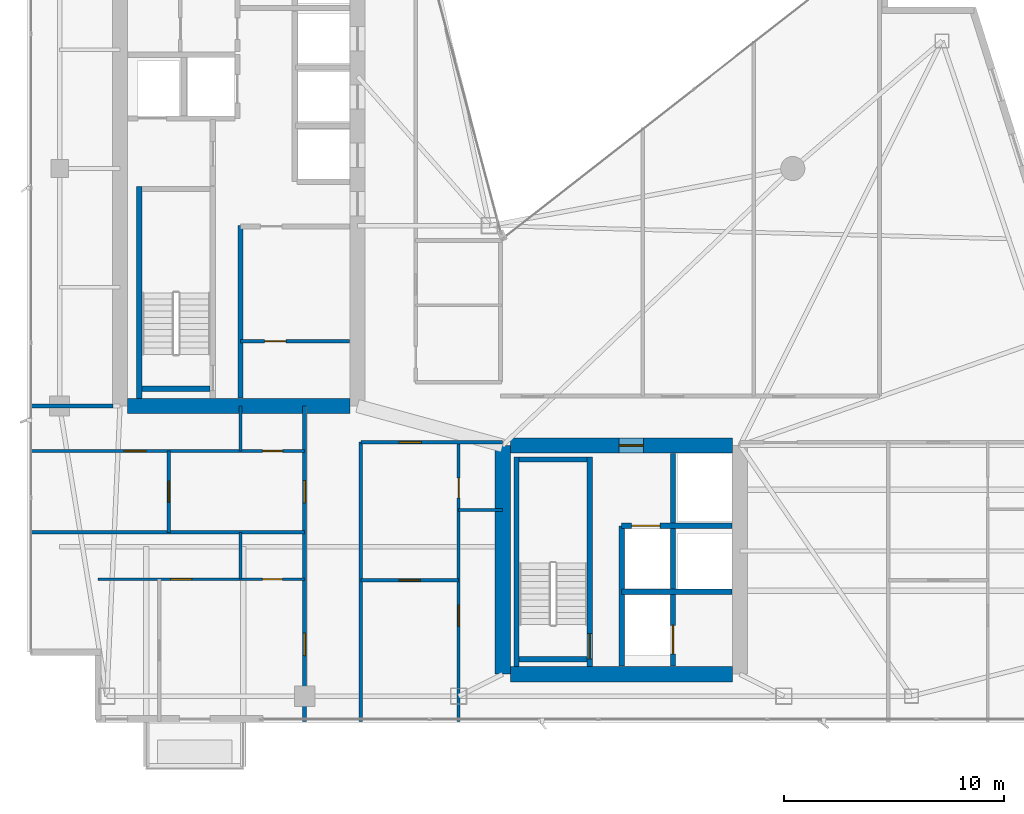
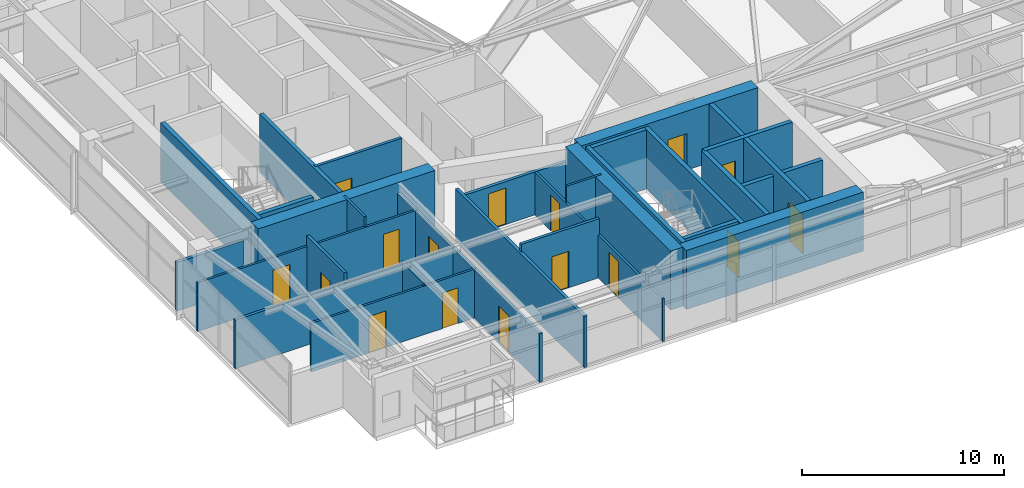
# One storey, part 23 of 29: 29 walls, 16 doors, 16 openings.
"""IFC4 building model written with IfcOpenShell, lengths in metres."""

from ifc_helpers import new_model, si_unit, direction, frame, frame_2d, origin, place, context, subcontext, project, spatial, rectangle, extrude, material, layer, layer_set, type_object, element, fill, save


model = new_model("IFC4")

# Units and contexts
model_context = context("Model", 3, precision=1e-05, world=origin(), true_north=direction((0.0, 1.0)))
body_context = subcontext(model_context, "Body", "Model", "MODEL_VIEW")
ifc_project = project(units=[si_unit("LENGTHUNIT", "METRE"), si_unit("AREAUNIT", "SQUARE_METRE"), si_unit("VOLUMEUNIT", "CUBIC_METRE"), si_unit("PLANEANGLEUNIT", "RADIAN"), si_unit("MASSUNIT", "GRAM", prefix="KILO")], contexts=[model_context])

# Site, building, storey
site_placement = place(None, origin())
site = spatial("IfcSite", under=ifc_project, at=site_placement, CompositionType="ELEMENT")
building_placement = place(site_placement, origin())
building = spatial("IfcBuilding", under=site, at=building_placement, Name="Calvorn Quay Hotel", CompositionType="ELEMENT")
storey_placement = place(building_placement, frame((0.0, 0.0, 211.0)))
storey = spatial("IfcBuildingStorey", under=building, at=storey_placement, Name="L52", CompositionType="ELEMENT", Elevation=211.0)

# Walls
ifc_material_1 = material(Name="Concrete C45", Category="concrete")
ifc_layer_1 = layer(ifc_material_1, 0.699951171875)
ifc_layer_set_1 = layer_set([ifc_layer_1], Name="WL-CORE-700")
wall_type_1 = type_object("IfcWallType", Name="WL-CORE-700", PredefinedType="SHEAR", material=ifc_layer_set_1)
wall_1_placement = place(storey_placement, frame((4.550048828125, 16.800048828125, 0.0), z_axis=(0.0, 0.0, 1.0), x_axis=(1.0, 0.0, 0.0)))
element("IfcWall", 1, at=wall_1_placement, inside=storey, type_object=wall_type_1, Name="West Core Shear Wall S (L52)", PredefinedType="SHEAR", context=body_context, shape_type="SweptSolid", body=[
    extrude(rectangle(XDim=10.099853515625, YDim=0.699951171875, at=frame_2d((5.0498046875, 0.0))), origin(), (0.0, 0.0, 1.0), 3.56005859375),
])
wall_2_placement = place(storey_placement, frame((21.60009765625, 4.60009765625, 0.0), z_axis=(0.0, 0.0, 1.0), x_axis=(0.0, 1.0, 0.0)))
element("IfcWall", 2, at=wall_2_placement, inside=storey, type_object=wall_type_1, Name="East Core Shear Wall W (L52)", PredefinedType="SHEAR", context=body_context, shape_type="SweptSolid", body=[
    extrude(rectangle(XDim=10.39990234375, YDim=0.699951171875, at=frame_2d((5.199951171875, 0.0))), origin(), (0.0, 0.0, 1.0), 3.56005859375),
])

# Wall, opening, door
wall_3_placement = place(storey_placement, frame((21.949951171875, 15.0, 0.0), z_axis=(0.0, 0.0, 1.0), x_axis=(1.0, 0.0, 0.0)))
wall_3 = element("IfcWall", 3, at=wall_3_placement, inside=storey, type_object=wall_type_1, Name="East Core Shear Wall N (L52)", PredefinedType="SHEAR", context=body_context, shape_type="SweptSolid", body=[
    extrude(rectangle(XDim=10.10009765625, YDim=0.699951171875, at=frame_2d((5.050048828125, 0.0))), origin(), (0.0, 0.0, 1.0), 3.56005859375),
])
opening_1_placement = place(wall_3_placement, frame((4.949951171875, 0.0, 0.0)))
opening_1 = element("IfcOpeningElement", 4, at=opening_1_placement, cuts=wall_3, Name="Opening D-L52-FLE", PredefinedType="OPENING", context=body_context, shape_type="SweptSolid", body=[
    extrude(rectangle(XDim=1.10009765625, YDim=2.199951171875, at=frame_2d((0.550048828125, 1.10009765625))), frame((0.0, 0.35986328125, 0.0), z_axis=(0.0, -1.0, 0.0), x_axis=(1.0, 0.0, 0.0)), (0.0, 0.0, 1.0), 0.719970703125),
])
ifc_material_2 = material(Name="Smoke-Sealed Steel Class A Fire Door", Category="steel")
door_type_1 = type_object("IfcDoorType", Name="DR-FFLOBBY-1100", OperationType="NOTDEFINED", PredefinedType="DOOR", material=ifc_material_2)
door_1_placement = place(opening_1_placement, origin())
door_1 = element("IfcDoor", 5, at=door_1_placement, inside=storey, type_object=door_type_1, Name="East Firefighting Lobby Fire Door (L52)", OperationType="SINGLE_SWING_RIGHT", OverallHeight=2.199951171875, OverallWidth=1.10009765625, PredefinedType="DOOR", context=body_context, shape_type="SweptSolid", body=[
    extrude(rectangle(XDim=1.10009765625, YDim=2.199951171875, at=frame_2d((0.550048828125, 1.10009765625))), frame((0.0, 0.02490234375, 0.0), z_axis=(0.0, -1.0, 0.0), x_axis=(1.0, 0.0, 0.0)), (0.0, 0.0, 1.0), 0.050048828125),
])
fill(opening_1, door_1)

# Walls
wall_4_placement = place(storey_placement, frame((21.949951171875, 4.60009765625, 0.0), z_axis=(0.0, 0.0, 1.0), x_axis=(1.0, 0.0, 0.0)))
element("IfcWall", 6, at=wall_4_placement, inside=storey, type_object=wall_type_1, Name="East Core Shear Wall S (L52)", PredefinedType="SHEAR", context=body_context, shape_type="SweptSolid", body=[
    extrude(rectangle(XDim=10.10009765625, YDim=0.699951171875, at=frame_2d((5.050048828125, 0.0))), origin(), (0.0, 0.0, 1.0), 3.56005859375),
])
ifc_material_3 = material(Name="Acoustic Fireboard Steel-Stud Partition", Category="steel")
ifc_layer_2 = layer(ifc_material_3, 0.179931640625)
ifc_layer_set_2 = layer_set([ifc_layer_2], Name="WL-CORR-FIRE-180")
wall_type_2 = type_object("IfcWallType", Name="WL-CORR-FIRE-180", PredefinedType="PARTITIONING", material=ifc_layer_set_2)
wall_5_placement = place(storey_placement, frame((0.080078125, 16.800048828125, 0.0), z_axis=(0.0, 0.0, 1.0), x_axis=(1.0, 0.0, 0.0)))
element("IfcWall", 7, at=wall_5_placement, inside=storey, type_object=wall_type_2, Name="Partition Wall L52-WL-WBAY-S-WALL", PredefinedType="PARTITIONING", context=body_context, shape_type="SweptSolid", body=[
    extrude(rectangle(XDim=3.7998046875, YDim=0.179931640625, at=frame_2d((1.89990234375, 0.0))), origin(), (0.0, 0.0, 1.0), 2.93994140625),
])

# Wall, openings, doors
wall_6_placement = place(storey_placement, frame((12.60009765625, 2.43994140625, 0.0), z_axis=(0.0, 0.0, 1.0), x_axis=(0.0, 1.0, 0.0)))
wall_6 = element("IfcWall", 8, at=wall_6_placement, inside=storey, type_object=wall_type_2, Name="Partition Wall L52-WL-CORR-SW-LEG-W", PredefinedType="PARTITIONING", context=body_context, shape_type="SweptSolid", body=[
    extrude(rectangle(XDim=14.360107421875, YDim=0.179931640625, at=frame_2d((7.18017578125, 0.0))), origin(), (0.0, 0.0, 1.0), 2.93994140625),
])
opening_2_placement = place(wall_6_placement, frame((3.010009765625, 0.0, 0.0)))
opening_2 = element("IfcOpeningElement", 9, at=opening_2_placement, cuts=wall_6, Name="Opening D-L52-U01", PredefinedType="OPENING", context=body_context, shape_type="SweptSolid", body=[
    extrude(rectangle(XDim=1.02001953125, YDim=2.199951171875, at=frame_2d((0.510009765625, 1.10009765625))), frame((0.0, 0.099853515625, 0.0), z_axis=(0.0, -1.0, 0.0), x_axis=(1.0, 0.0, 0.0)), (0.0, 0.0, 1.0), 0.199951171875),
])
opening_3_placement = place(wall_6_placement, frame((9.949951171875, 0.0, 0.0)))
opening_3 = element("IfcOpeningElement", 10, at=opening_3_placement, cuts=wall_6, Name="Opening D-L52-U02", PredefinedType="OPENING", context=body_context, shape_type="SweptSolid", body=[
    extrude(rectangle(XDim=1.02001953125, YDim=2.199951171875, at=frame_2d((0.510009765625, 1.10009765625))), frame((0.0, 0.099853515625, 0.0), z_axis=(0.0, -1.0, 0.0), x_axis=(1.0, 0.0, 0.0)), (0.0, 0.0, 1.0), 0.199951171875),
])
ifc_material_4 = material(Name="Solid-Core Walnut Veneer Hotel Fire Door")
door_type_2 = type_object("IfcDoorType", Name="DR-GUEST-ENTRY-1020", OperationType="NOTDEFINED", PredefinedType="DOOR", material=ifc_material_4)
door_2_placement = place(opening_2_placement, origin())
door_2 = element("IfcDoor", 11, at=door_2_placement, inside=storey, type_object=door_type_2, Name="South-West Unit Door U01 (L52)", OperationType="SINGLE_SWING_LEFT", OverallHeight=2.199951171875, OverallWidth=1.02001953125, PredefinedType="DOOR", context=body_context, shape_type="SweptSolid", body=[
    extrude(rectangle(XDim=1.02001953125, YDim=2.199951171875, at=frame_2d((0.510009765625, 1.10009765625))), frame((0.0, 0.02490234375, 0.0), z_axis=(0.0, -1.0, 0.0), x_axis=(1.0, 0.0, 0.0)), (0.0, 0.0, 1.0), 0.050048828125),
])
fill(opening_2, door_2)
door_3_placement = place(opening_3_placement, origin())
door_3 = element("IfcDoor", 12, at=door_3_placement, inside=storey, type_object=door_type_2, Name="South-West Unit Door U02 (L52)", OperationType="SINGLE_SWING_RIGHT", OverallHeight=2.199951171875, OverallWidth=1.02001953125, PredefinedType="DOOR", context=body_context, shape_type="SweptSolid", body=[
    extrude(rectangle(XDim=1.02001953125, YDim=2.199951171875, at=frame_2d((0.510009765625, 1.10009765625))), frame((0.0, 0.02490234375, 0.0), z_axis=(0.0, -1.0, 0.0), x_axis=(1.0, 0.0, 0.0)), (0.0, 0.0, 1.0), 0.050048828125),
])
fill(opening_3, door_3)

# Wall
wall_7_placement = place(storey_placement, frame((15.14990234375, 2.43994140625, 0.0), z_axis=(0.0, 0.0, 1.0), x_axis=(0.0, 1.0, 0.0)))
element("IfcWall", 13, at=wall_7_placement, inside=storey, type_object=wall_type_2, Name="Partition Wall L52-WL-CORR-SW-W", PredefinedType="PARTITIONING", context=body_context, shape_type="SweptSolid", body=[
    extrude(rectangle(XDim=12.7099609375, YDim=0.179931640625, at=frame_2d((6.35498046875, 0.0))), origin(), (0.0, 0.0, 1.0), 3.090087890625),
])

# Wall, opening, door
wall_8_placement = place(storey_placement, frame((15.14990234375, 15.14990234375, 0.0), z_axis=(0.0, 0.0, 1.0), x_axis=(1.0, 0.0, 0.0)))
wall_8 = element("IfcWall", 14, at=wall_8_placement, inside=storey, type_object=wall_type_2, Name="Partition Wall L52-WL-SC-CORR-S", PredefinedType="PARTITIONING", context=body_context, shape_type="SweptSolid", body=[
    extrude(rectangle(XDim=6.4501953125, YDim=0.179931640625, at=frame_2d((3.22509765625, 0.0))), origin(), (0.0, 0.0, 1.0), 2.590087890625),
])
opening_4_placement = place(wall_8_placement, frame((1.739990234375, 0.0, 0.0)))
opening_4 = element("IfcOpeningElement", 15, at=opening_4_placement, cuts=wall_8, Name="Opening D-L52-U03", PredefinedType="OPENING", context=body_context, shape_type="SweptSolid", body=[
    extrude(rectangle(XDim=1.02001953125, YDim=2.199951171875, at=frame_2d((0.510009765625, 1.10009765625))), frame((0.0, 0.099853515625, 0.0), z_axis=(0.0, -1.0, 0.0), x_axis=(1.0, 0.0, 0.0)), (0.0, 0.0, 1.0), 0.199951171875),
])
door_4_placement = place(opening_4_placement, origin())
door_4 = element("IfcDoor", 16, at=door_4_placement, inside=storey, type_object=door_type_2, Name="Harbour Central Unit Door (L52)", OperationType="SINGLE_SWING_LEFT", OverallHeight=2.199951171875, OverallWidth=1.02001953125, PredefinedType="DOOR", context=body_context, shape_type="SweptSolid", body=[
    extrude(rectangle(XDim=1.02001953125, YDim=2.199951171875, at=frame_2d((0.510009765625, 1.10009765625))), frame((0.0, 0.02490234375, 0.0), z_axis=(0.0, -1.0, 0.0), x_axis=(1.0, 0.0, 0.0)), (0.0, 0.0, 1.0), 0.050048828125),
])
fill(opening_4, door_4)

# Wall
ifc_material_5 = material(Name="Moisture-Resistant Tile-Backed Partition")
ifc_layer_3 = layer(ifc_material_5, 0.125)
ifc_layer_set_3 = layer_set([ifc_layer_3], Name="WL-ENSUITE-125")
wall_type_3 = type_object("IfcWallType", Name="WL-ENSUITE-125", PredefinedType="PARTITIONING", material=ifc_layer_set_3)
wall_9_placement = place(storey_placement, frame((9.679931640625, 8.919921875, 0.0), z_axis=(0.0, 0.0, 1.0), x_axis=(0.0, 1.0, 0.0)))
element("IfcWall", 17, at=wall_9_placement, inside=storey, type_object=wall_type_3, Name="Partition Wall L52-WL-U01-BDV", PredefinedType="PARTITIONING", context=body_context, shape_type="SweptSolid", body=[
    extrude(rectangle(XDim=2.130126953125, YDim=0.125, at=frame_2d((1.06494140625, 0.0))), origin(), (0.0, 0.0, 1.0), 3.090087890625),
])

# Wall, openings, doors
wall_10_placement = place(storey_placement, frame((3.199951171875, 8.919921875, 0.0), z_axis=(0.0, 0.0, 1.0), x_axis=(1.0, 0.0, 0.0)))
wall_10 = element("IfcWall", 18, at=wall_10_placement, inside=storey, type_object=wall_type_3, Name="Partition Wall L52-WL-U01-BH", PredefinedType="PARTITIONING", context=body_context, shape_type="SweptSolid", body=[
    extrude(rectangle(XDim=9.400146484375, YDim=0.125, at=frame_2d((4.7001953125, 0.0))), origin(), (0.0, 0.0, 1.0), 2.93994140625),
])
opening_5_placement = place(wall_10_placement, frame((3.300048828125, 0.0, 0.0)))
opening_5 = element("IfcOpeningElement", 19, at=opening_5_placement, cuts=wall_10, Name="Opening D-L52-S01", PredefinedType="OPENING", context=body_context, shape_type="SweptSolid", body=[
    extrude(rectangle(XDim=0.9599609375, YDim=2.199951171875, at=frame_2d((0.47998046875, 1.10009765625))), frame((0.0, 0.072509765625, 0.0), z_axis=(0.0, -1.0, 0.0), x_axis=(1.0, 0.0, 0.0)), (0.0, 0.0, 1.0), 0.14501953125),
])
opening_6_placement = place(wall_10_placement, frame((7.489990234375, 0.0, 0.0)))
opening_6 = element("IfcOpeningElement", 20, at=opening_6_placement, cuts=wall_10, Name="Opening D-L52-E01", PredefinedType="OPENING", context=body_context, shape_type="SweptSolid", body=[
    extrude(rectangle(XDim=0.89990234375, YDim=2.14990234375, at=frame_2d((0.449951171875, 1.074951171875))), frame((0.0, 0.072509765625, 0.0), z_axis=(0.0, -1.0, 0.0), x_axis=(1.0, 0.0, 0.0)), (0.0, 0.0, 1.0), 0.14501953125),
])
ifc_material_6 = material(Name="Moisture-Sealed Timber En-Suite Door", Category="wood")
door_type_3 = type_object("IfcDoorType", Name="DR-ENSUITE-900", OperationType="NOTDEFINED", PredefinedType="DOOR", material=ifc_material_6)
door_5_placement = place(opening_6_placement, origin())
door_5 = element("IfcDoor", 21, at=door_5_placement, inside=storey, type_object=door_type_3, Name="En-Suite Door 01", OperationType="SINGLE_SWING_RIGHT", OverallHeight=2.14990234375, OverallWidth=0.89990234375, PredefinedType="DOOR", context=body_context, shape_type="SweptSolid", body=[
    extrude(rectangle(XDim=0.89990234375, YDim=2.14990234375, at=frame_2d((0.449951171875, 1.074951171875))), frame((0.0, 0.02490234375, 0.0), z_axis=(0.0, -1.0, 0.0), x_axis=(1.0, 0.0, 0.0)), (0.0, 0.0, 1.0), 0.050048828125),
])
fill(opening_6, door_5)
ifc_material_7 = material(Name="Solid Timber Internal Suite Door", Category="wood")
door_type_4 = type_object("IfcDoorType", Name="DR-SUITE-INT-960", OperationType="NOTDEFINED", PredefinedType="DOOR", material=ifc_material_7)
door_6_placement = place(opening_5_placement, origin())
door_6 = element("IfcDoor", 22, at=door_6_placement, inside=storey, type_object=door_type_4, Name="Harbour Tea Room Door 01", OperationType="SINGLE_SWING_LEFT", OverallHeight=2.199951171875, OverallWidth=0.9599609375, PredefinedType="DOOR", context=body_context, shape_type="SweptSolid", body=[
    extrude(rectangle(XDim=0.9599609375, YDim=2.199951171875, at=frame_2d((0.47998046875, 1.10009765625))), frame((0.0, 0.02490234375, 0.0), z_axis=(0.0, -1.0, 0.0), x_axis=(1.0, 0.0, 0.0)), (0.0, 0.0, 1.0), 0.050048828125),
])
fill(opening_5, door_6)

# Wall
wall_11_placement = place(storey_placement, frame((9.679931640625, 14.75, 0.0), z_axis=(0.0, 0.0, 1.0), x_axis=(0.0, 1.0, 0.0)))
element("IfcWall", 23, at=wall_11_placement, inside=storey, type_object=wall_type_3, Name="Partition Wall L52-WL-U02-BDV", PredefinedType="PARTITIONING", context=body_context, shape_type="SweptSolid", body=[
    extrude(rectangle(XDim=2.050048828125, YDim=0.125, at=frame_2d((1.02490234375, 0.0))), origin(), (0.0, 0.0, 1.0), 3.56005859375),
])

# Wall, openings, doors
wall_12_placement = place(storey_placement, frame((0.080078125, 14.75, 0.0), z_axis=(0.0, 0.0, 1.0), x_axis=(1.0, 0.0, 0.0)))
wall_12 = element("IfcWall", 24, at=wall_12_placement, inside=storey, type_object=wall_type_3, Name="Partition Wall L52-WL-U02-BH", PredefinedType="PARTITIONING", context=body_context, shape_type="SweptSolid", body=[
    extrude(rectangle(XDim=12.52001953125, YDim=0.125, at=frame_2d((6.260009765625, 0.0))), origin(), (0.0, 0.0, 1.0), 2.93994140625),
])
opening_7_placement = place(wall_12_placement, frame((4.320068359375, 0.0, 0.0)))
opening_7 = element("IfcOpeningElement", 25, at=opening_7_placement, cuts=wall_12, Name="Opening D-L52-S02", PredefinedType="OPENING", context=body_context, shape_type="SweptSolid", body=[
    extrude(rectangle(XDim=0.9599609375, YDim=2.199951171875, at=frame_2d((0.47998046875, 1.10009765625))), frame((0.0, 0.072509765625, 0.0), z_axis=(0.0, -1.0, 0.0), x_axis=(1.0, 0.0, 0.0)), (0.0, 0.0, 1.0), 0.14501953125),
])
opening_8_placement = place(wall_12_placement, frame((10.610107421875, 0.0, 0.0)))
opening_8 = element("IfcOpeningElement", 26, at=opening_8_placement, cuts=wall_12, Name="Opening D-L52-E02", PredefinedType="OPENING", context=body_context, shape_type="SweptSolid", body=[
    extrude(rectangle(XDim=0.89990234375, YDim=2.14990234375, at=frame_2d((0.449951171875, 1.074951171875))), frame((0.0, 0.072509765625, 0.0), z_axis=(0.0, -1.0, 0.0), x_axis=(1.0, 0.0, 0.0)), (0.0, 0.0, 1.0), 0.14501953125),
])
door_7_placement = place(opening_8_placement, origin())
door_7 = element("IfcDoor", 27, at=door_7_placement, inside=storey, type_object=door_type_3, Name="En-Suite Door 02", OperationType="SINGLE_SWING_RIGHT", OverallHeight=2.14990234375, OverallWidth=0.89990234375, PredefinedType="DOOR", context=body_context, shape_type="SweptSolid", body=[
    extrude(rectangle(XDim=0.89990234375, YDim=2.14990234375, at=frame_2d((0.449951171875, 1.074951171875))), frame((0.0, 0.02490234375, 0.0), z_axis=(0.0, -1.0, 0.0), x_axis=(1.0, 0.0, 0.0)), (0.0, 0.0, 1.0), 0.050048828125),
])
fill(opening_8, door_7)
door_8_placement = place(opening_7_placement, origin())
door_8 = element("IfcDoor", 28, at=door_8_placement, inside=storey, type_object=door_type_4, Name="Harbour Tea Room Door 02", OperationType="SINGLE_SWING_LEFT", OverallHeight=2.199951171875, OverallWidth=0.9599609375, PredefinedType="DOOR", context=body_context, shape_type="SweptSolid", body=[
    extrude(rectangle(XDim=0.9599609375, YDim=2.199951171875, at=frame_2d((0.47998046875, 1.10009765625))), frame((0.0, 0.02490234375, 0.0), z_axis=(0.0, -1.0, 0.0), x_axis=(1.0, 0.0, 0.0)), (0.0, 0.0, 1.0), 0.050048828125),
])
fill(opening_7, door_8)

# Wall
wall_13_placement = place(storey_placement, frame((19.60009765625, 12.070068359375, 0.0), z_axis=(0.0, 0.0, 1.0), x_axis=(1.0, 0.0, 0.0)))
element("IfcWall", 29, at=wall_13_placement, inside=storey, type_object=wall_type_3, Name="Partition Wall L52-WL-U03-BDV", PredefinedType="PARTITIONING", context=body_context, shape_type="SweptSolid", body=[
    extrude(rectangle(XDim=2.0, YDim=0.125, at=frame_2d((1.0, 0.0))), origin(), (0.0, 0.0, 1.0), 3.56005859375),
])

# Wall, openings, doors
wall_14_placement = place(storey_placement, frame((19.60009765625, 2.43994140625, 0.0), z_axis=(0.0, 0.0, 1.0), x_axis=(0.0, 1.0, 0.0)))
wall_14 = element("IfcWall", 30, at=wall_14_placement, inside=storey, type_object=wall_type_3, Name="Partition Wall L52-WL-U03-BV", PredefinedType="PARTITIONING", context=body_context, shape_type="SweptSolid", body=[
    extrude(rectangle(XDim=12.7099609375, YDim=0.125, at=frame_2d((6.35498046875, 0.0))), origin(), (0.0, 0.0, 1.0), 2.590087890625),
])
opening_9_placement = place(wall_14_placement, frame((4.340087890625, 0.0, 0.0)))
opening_9 = element("IfcOpeningElement", 31, at=opening_9_placement, cuts=wall_14, Name="Opening D-L52-S03", PredefinedType="OPENING", context=body_context, shape_type="SweptSolid", body=[
    extrude(rectangle(XDim=0.9599609375, YDim=2.199951171875, at=frame_2d((0.47998046875, 1.10009765625))), frame((0.0, 0.072509765625, 0.0), z_axis=(0.0, -1.0, 0.0), x_axis=(1.0, 0.0, 0.0)), (0.0, 0.0, 1.0), 0.14501953125),
])
opening_10_placement = place(wall_14_placement, frame((10.179931640625, 0.0, 0.0)))
opening_10 = element("IfcOpeningElement", 32, at=opening_10_placement, cuts=wall_14, Name="Opening D-L52-E03", PredefinedType="OPENING", context=body_context, shape_type="SweptSolid", body=[
    extrude(rectangle(XDim=0.89990234375, YDim=2.14990234375, at=frame_2d((0.449951171875, 1.074951171875))), frame((0.0, 0.072509765625, 0.0), z_axis=(0.0, -1.0, 0.0), x_axis=(1.0, 0.0, 0.0)), (0.0, 0.0, 1.0), 0.14501953125),
])
door_9_placement = place(opening_10_placement, origin())
door_9 = element("IfcDoor", 33, at=door_9_placement, inside=storey, type_object=door_type_3, Name="En-Suite Door 03", OperationType="SINGLE_SWING_RIGHT", OverallHeight=2.14990234375, OverallWidth=0.89990234375, PredefinedType="DOOR", context=body_context, shape_type="SweptSolid", body=[
    extrude(rectangle(XDim=0.89990234375, YDim=2.14990234375, at=frame_2d((0.449951171875, 1.074951171875))), frame((0.0, 0.02490234375, 0.0), z_axis=(0.0, -1.0, 0.0), x_axis=(1.0, 0.0, 0.0)), (0.0, 0.0, 1.0), 0.050048828125),
])
fill(opening_10, door_9)
door_10_placement = place(opening_9_placement, origin())
door_10 = element("IfcDoor", 34, at=door_10_placement, inside=storey, type_object=door_type_4, Name="Harbour Tea Room Door 03", OperationType="SINGLE_SWING_LEFT", OverallHeight=2.199951171875, OverallWidth=0.9599609375, PredefinedType="DOOR", context=body_context, shape_type="SweptSolid", body=[
    extrude(rectangle(XDim=0.9599609375, YDim=2.199951171875, at=frame_2d((0.47998046875, 1.10009765625))), frame((0.0, 0.02490234375, 0.0), z_axis=(0.0, -1.0, 0.0), x_axis=(1.0, 0.0, 0.0)), (0.0, 0.0, 1.0), 0.050048828125),
])
fill(opening_9, door_10)

# Wall, opening, door
ifc_material_8 = material(Name="Double-Stud Acoustic Gypsum Partition")
ifc_layer_4 = layer(ifc_material_8, 0.159912109375)
ifc_layer_set_4 = layer_set([ifc_layer_4], Name="WL-INTERSUITE-160")
wall_type_4 = type_object("IfcWallType", Name="WL-INTERSUITE-160", PredefinedType="PARTITIONING", material=ifc_layer_set_4)
wall_15_placement = place(storey_placement, frame((9.679931640625, 19.75, 0.0), z_axis=(0.0, 0.0, 1.0), x_axis=(1.0, 0.0, 0.0)))
wall_15 = element("IfcWall", 35, at=wall_15_placement, inside=storey, type_object=wall_type_4, Name="Partition Wall L52-WL-CWW-FR-SPLIT", PredefinedType="PARTITIONING", context=body_context, shape_type="SweptSolid", body=[
    extrude(rectangle(XDim=4.949951171875, YDim=0.159912109375, at=frame_2d((2.47509765625, 0.0))), origin(), (0.0, 0.0, 1.0), 3.56005859375),
])
opening_11_placement = place(wall_15_placement, frame((1.10009765625, 0.0, 0.0)))
opening_11 = element("IfcOpeningElement", 36, at=opening_11_placement, cuts=wall_15, Name="Opening D-L52-FRL1", PredefinedType="OPENING", context=body_context, shape_type="SweptSolid", body=[
    extrude(rectangle(XDim=0.97998046875, YDim=2.14990234375, at=frame_2d((0.489990234375, 1.074951171875))), frame((0.0, 0.08984375, 0.0), z_axis=(0.0, -1.0, 0.0), x_axis=(1.0, 0.0, 0.0)), (0.0, 0.0, 1.0), 0.179931640625),
])
ifc_material_9 = material(Name="Painted Steel Housekeeping/Riser Fire Door", Category="steel")
door_type_5 = type_object("IfcDoorType", Name="DR-SERVICE-980", OperationType="NOTDEFINED", PredefinedType="DOOR", material=ifc_material_9)
door_11_placement = place(opening_11_placement, origin())
door_11 = element("IfcDoor", 37, at=door_11_placement, inside=storey, type_object=door_type_5, Name="Linen Store Room Door (L52)", OperationType="SINGLE_SWING_LEFT", OverallHeight=2.14990234375, OverallWidth=0.97998046875, PredefinedType="DOOR", context=body_context, shape_type="SweptSolid", body=[
    extrude(rectangle(XDim=0.97998046875, YDim=2.14990234375, at=frame_2d((0.489990234375, 1.074951171875))), frame((0.0, 0.02490234375, 0.0), z_axis=(0.0, -1.0, 0.0), x_axis=(1.0, 0.0, 0.0)), (0.0, 0.0, 1.0), 0.050048828125),
])
fill(opening_11, door_11)

wall_16_placement = place(storey_placement, frame((6.419921875, 11.050048828125, 0.0), z_axis=(0.0, 0.0, 1.0), x_axis=(0.0, 1.0, 0.0)))
wall_16 = element("IfcWall", 38, at=wall_16_placement, inside=storey, type_object=wall_type_4, Name="Partition Wall L52-WL-U02-MSP", PredefinedType="PARTITIONING", context=body_context, shape_type="SweptSolid", body=[
    extrude(rectangle(XDim=3.699951171875, YDim=0.159912109375, at=frame_2d((1.85009765625, 0.0))), origin(), (0.0, 0.0, 1.0), 3.56005859375),
])
opening_12_placement = place(wall_16_placement, frame((1.3701171875, 0.0, 0.0)))
opening_12 = element("IfcOpeningElement", 39, at=opening_12_placement, cuts=wall_16, Name="Opening D-L52-M02", PredefinedType="OPENING", context=body_context, shape_type="SweptSolid", body=[
    extrude(rectangle(XDim=0.9599609375, YDim=2.199951171875, at=frame_2d((0.47998046875, 1.10009765625))), frame((0.0, 0.08984375, 0.0), z_axis=(0.0, -1.0, 0.0), x_axis=(1.0, 0.0, 0.0)), (0.0, 0.0, 1.0), 0.179931640625),
])
door_12_placement = place(opening_12_placement, origin())
door_12 = element("IfcDoor", 40, at=door_12_placement, inside=storey, type_object=door_type_4, Name="Suite Bedroom Door 02", OperationType="SINGLE_SWING_LEFT", OverallHeight=2.199951171875, OverallWidth=0.9599609375, PredefinedType="DOOR", context=body_context, shape_type="SweptSolid", body=[
    extrude(rectangle(XDim=0.9599609375, YDim=2.199951171875, at=frame_2d((0.47998046875, 1.10009765625))), frame((0.0, 0.02490234375, 0.0), z_axis=(0.0, -1.0, 0.0), x_axis=(1.0, 0.0, 0.0)), (0.0, 0.0, 1.0), 0.050048828125),
])
fill(opening_12, door_12)

# Wall
wall_17_placement = place(storey_placement, frame((0.080078125, 11.050048828125, 0.0), z_axis=(0.0, 0.0, 1.0), x_axis=(1.0, 0.0, 0.0)))
element("IfcWall", 41, at=wall_17_placement, inside=storey, type_object=wall_type_4, Name="Partition Wall L52-WL-SW-DIV-1", PredefinedType="PARTITIONING", context=body_context, shape_type="SweptSolid", body=[
    extrude(rectangle(XDim=12.52001953125, YDim=0.159912109375, at=frame_2d((6.260009765625, 0.0))), origin(), (0.0, 0.0, 1.0), 2.93994140625),
])

# Wall, opening, door
wall_18_placement = place(storey_placement, frame((15.14990234375, 8.8701171875, 0.0), z_axis=(0.0, 0.0, 1.0), x_axis=(1.0, 0.0, 0.0)))
wall_18 = element("IfcWall", 42, at=wall_18_placement, inside=storey, type_object=wall_type_4, Name="Partition Wall L52-WL-U03-MSP", PredefinedType="PARTITIONING", context=body_context, shape_type="SweptSolid", body=[
    extrude(rectangle(XDim=4.4501953125, YDim=0.159912109375, at=frame_2d((2.22509765625, 0.0))), origin(), (0.0, 0.0, 1.0), 3.56005859375),
])
opening_13_placement = place(wall_18_placement, frame((1.75, 0.0, 0.0)))
opening_13 = element("IfcOpeningElement", 43, at=opening_13_placement, cuts=wall_18, Name="Opening D-L52-M03", PredefinedType="OPENING", context=body_context, shape_type="SweptSolid", body=[
    extrude(rectangle(XDim=0.9599609375, YDim=2.199951171875, at=frame_2d((0.47998046875, 1.10009765625))), frame((0.0, 0.08984375, 0.0), z_axis=(0.0, -1.0, 0.0), x_axis=(1.0, 0.0, 0.0)), (0.0, 0.0, 1.0), 0.179931640625),
])
door_13_placement = place(opening_13_placement, origin())
door_13 = element("IfcDoor", 44, at=door_13_placement, inside=storey, type_object=door_type_4, Name="Suite Bedroom Door 03", OperationType="SINGLE_SWING_LEFT", OverallHeight=2.199951171875, OverallWidth=0.9599609375, PredefinedType="DOOR", context=body_context, shape_type="SweptSolid", body=[
    extrude(rectangle(XDim=0.9599609375, YDim=2.199951171875, at=frame_2d((0.47998046875, 1.10009765625))), frame((0.0, 0.02490234375, 0.0), z_axis=(0.0, -1.0, 0.0), x_axis=(1.0, 0.0, 0.0)), (0.0, 0.0, 1.0), 0.050048828125),
])
fill(opening_13, door_13)

# Walls
ifc_material_10 = material(Name="Autoclaved Aerated Masonry Block", Category="masonry")
ifc_layer_5 = layer(ifc_material_10, 0.219970703125)
ifc_layer_set_5 = layer_set([ifc_layer_5], Name="WL-LOBBY-FIRE-220")
wall_type_5 = type_object("IfcWallType", Name="WL-LOBBY-FIRE-220", PredefinedType="SOLIDWALL", material=ifc_layer_set_5)
wall_19_placement = place(storey_placement, frame((9.679931640625, 17.169921875, 0.0), z_axis=(0.0, 0.0, 1.0), x_axis=(0.0, 1.0, 0.0)))
element("IfcWall", 45, at=wall_19_placement, inside=storey, type_object=wall_type_5, Name="Partition Wall L52-WL-CWW-STW-HALL-E", PredefinedType="SOLIDWALL", context=body_context, shape_type="SweptSolid", body=[
    extrude(rectangle(XDim=7.830078125, YDim=0.219970703125, at=frame_2d((3.9150390625, 0.0))), origin(), (0.0, 0.0, 1.0), 3.56005859375),
])
ifc_material_11 = material(Name="Concrete C40", Category="concrete")
ifc_layer_6 = layer(ifc_material_11, 0.239990234375)
ifc_layer_set_6 = layer_set([ifc_layer_6], Name="WL-SHAFT-240")
wall_type_6 = type_object("IfcWallType", Name="WL-SHAFT-240", PredefinedType="SOLIDWALL", material=ifc_layer_set_6)
wall_20_placement = place(storey_placement, frame((5.080078125, 17.14990234375, 0.0), z_axis=(0.0, 0.0, 1.0), x_axis=(0.0, 1.0, 0.0)))
element("IfcWall", 46, at=wall_20_placement, inside=storey, type_object=wall_type_6, Name="Stair STW Shaft Wall W (L52)", PredefinedType="SOLIDWALL", context=body_context, shape_type="SweptSolid", body=[
    extrude(rectangle(XDim=9.64013671875, YDim=0.239990234375, at=frame_2d((4.820068359375, 0.0))), origin(), (0.0, 0.0, 1.0), 3.56005859375),
])
wall_21_placement = place(storey_placement, frame((5.199951171875, 17.580078125, 0.0), z_axis=(0.0, 0.0, 1.0), x_axis=(1.0, 0.0, 0.0)))
element("IfcWall", 47, at=wall_21_placement, inside=storey, type_object=wall_type_6, Name="Stair STW Shaft Wall S (L52)", PredefinedType="SOLIDWALL", context=body_context, shape_type="SweptSolid", body=[
    extrude(rectangle(XDim=3.10009765625, YDim=0.239990234375, at=frame_2d((1.550048828125, 0.0))), origin(), (0.0, 0.0, 1.0), 3.56005859375),
])
wall_22_placement = place(storey_placement, frame((22.22998046875, 4.949951171875, 0.0), z_axis=(0.0, 0.0, 1.0), x_axis=(0.0, 1.0, 0.0)))
element("IfcWall", 48, at=wall_22_placement, inside=storey, type_object=wall_type_6, Name="Stair STE Shaft Wall W (L52)", PredefinedType="SOLIDWALL", context=body_context, shape_type="SweptSolid", body=[
    extrude(rectangle(XDim=9.5400390625, YDim=0.239990234375, at=frame_2d((4.77001953125, 0.0))), origin(), (0.0, 0.0, 1.0), 3.56005859375),
])

# Wall, opening, door
wall_23_placement = place(storey_placement, frame((25.570068359375, 4.949951171875, 0.0), z_axis=(0.0, 0.0, 1.0), x_axis=(0.0, 1.0, 0.0)))
wall_23 = element("IfcWall", 49, at=wall_23_placement, inside=storey, type_object=wall_type_6, Name="Stair STE Shaft Wall E (L52)", PredefinedType="SOLIDWALL", context=body_context, shape_type="SweptSolid", body=[
    extrude(rectangle(XDim=9.5400390625, YDim=0.239990234375, at=frame_2d((4.77001953125, 0.0))), origin(), (0.0, 0.0, 1.0), 3.56005859375),
])
opening_14_placement = place(wall_23_placement, frame((0.35009765625, 0.0, 0.0)))
opening_14 = element("IfcOpeningElement", 50, at=opening_14_placement, cuts=wall_23, Name="Opening D-L52-STE", PredefinedType="OPENING", context=body_context, shape_type="SweptSolid", body=[
    extrude(rectangle(XDim=1.14990234375, YDim=2.199951171875, at=frame_2d((0.574951171875, 1.10009765625))), frame((0.0, 0.1298828125, 0.0), z_axis=(0.0, -1.0, 0.0), x_axis=(1.0, 0.0, 0.0)), (0.0, 0.0, 1.0), 0.260009765625),
])
ifc_material_12 = material(Name="Galvanised Steel Class A Fire Door", Category="steel")
door_type_6 = type_object("IfcDoorType", Name="DR-STAIR-SMOKE-1150", OperationType="NOTDEFINED", PredefinedType="DOOR", material=ifc_material_12)
door_14_placement = place(opening_14_placement, origin())
door_14 = element("IfcDoor", 51, at=door_14_placement, inside=storey, type_object=door_type_6, Name="Stair ST-E Fire Door (L52)", OperationType="SINGLE_SWING_RIGHT", OverallHeight=2.199951171875, OverallWidth=1.14990234375, PredefinedType="DOOR", context=body_context, shape_type="SweptSolid", body=[
    extrude(rectangle(XDim=1.14990234375, YDim=2.199951171875, at=frame_2d((0.574951171875, 1.10009765625))), frame((0.0, 0.02490234375, 0.0), z_axis=(0.0, -1.0, 0.0), x_axis=(1.0, 0.0, 0.0)), (0.0, 0.0, 1.0), 0.050048828125),
])
fill(opening_14, door_14)

# Walls
for number, where, z_axis, x_axis, name in (
    (52, (22.35009765625, 5.280029296875, 0.0), (0.0, 0.0, 1.0), (1.0, 0.0, 0.0), "Stair STE Shaft Wall S (L52)"),
    (53, (22.35009765625, 14.3701171875, 0.0), (0.0, 0.0, 1.0), (1.0, 0.0, 0.0), "Stair STE Shaft Wall N (L52)"),
):
    element("IfcWall", number, at=place(storey_placement, frame(where, z_axis=z_axis, x_axis=x_axis)), inside=storey, type_object=wall_type_6, Name=name, PredefinedType="SOLIDWALL", context=body_context, shape_type="SweptSolid", body=[
        extrude(rectangle(XDim=3.099853515625, YDim=0.239990234375, at=frame_2d((1.5498046875, 0.0))), origin(), (0.0, 0.0, 1.0), 3.56005859375),
    ])
wall_24_placement = place(storey_placement, frame((27.02001953125, 4.969970703125, 0.0), z_axis=(0.0, 0.0, 1.0), x_axis=(0.0, 1.0, 0.0)))
element("IfcWall", 54, at=wall_24_placement, inside=storey, type_object=wall_type_6, Name="Partition Wall L52-WL-CWE-SH-W", PredefinedType="SOLIDWALL", context=body_context, shape_type="SweptSolid", body=[
    extrude(rectangle(XDim=6.380126953125, YDim=0.239990234375, at=frame_2d((3.18994140625, 0.0))), origin(), (0.0, 0.0, 1.0), 3.56005859375),
])

# Wall, opening, door
wall_25_placement = place(storey_placement, frame((27.02001953125, 11.35009765625, 0.0), z_axis=(0.0, 0.0, 1.0), x_axis=(1.0, 0.0, 0.0)))
wall_25 = element("IfcWall", 55, at=wall_25_placement, inside=storey, type_object=wall_type_6, Name="Partition Wall L52-WL-CWE-FFL-S", PredefinedType="SOLIDWALL", context=body_context, shape_type="SweptSolid", body=[
    extrude(rectangle(XDim=5.010009765625, YDim=0.239990234375, at=frame_2d((2.5048828125, 0.0))), origin(), (0.0, 0.0, 1.0), 3.56005859375),
])
opening_15_placement = place(wall_25_placement, frame((0.449951171875, 0.0, 0.0)))
opening_15 = element("IfcOpeningElement", 56, at=opening_15_placement, cuts=wall_25, Name="Opening LD-L52-FLE1", PredefinedType="OPENING", context=body_context, shape_type="SweptSolid", body=[
    extrude(rectangle(XDim=1.300048828125, YDim=2.35009765625, at=frame_2d((0.64990234375, 1.175048828125))), frame((0.0, 0.1298828125, 0.0), z_axis=(0.0, -1.0, 0.0), x_axis=(1.0, 0.0, 0.0)), (0.0, 0.0, 1.0), 0.260009765625),
])
ifc_material_13 = material(Name="Champagne-Bronze Sliding Express Lift Landing Door")
door_type_7 = type_object("IfcDoorType", Name="DR-LIFT-SHUTTLE-1300", OperationType="NOTDEFINED", PredefinedType="DOOR", material=ifc_material_13)
door_15_placement = place(opening_15_placement, origin())
door_15 = element("IfcDoor", 57, at=door_15_placement, inside=storey, type_object=door_type_7, Name="Firefighting Lift FL-E1 Landing Door (L52)", OperationType="DOUBLE_DOOR_SLIDING", OverallHeight=2.35009765625, OverallWidth=1.300048828125, PredefinedType="DOOR", context=body_context, shape_type="SweptSolid", body=[
    extrude(rectangle(XDim=1.300048828125, YDim=2.35009765625, at=frame_2d((0.64990234375, 1.175048828125))), frame((0.0, 0.02490234375, 0.0), z_axis=(0.0, -1.0, 0.0), x_axis=(1.0, 0.0, 0.0)), (0.0, 0.0, 1.0), 0.050048828125),
])
fill(opening_15, door_15)

# Wall
wall_26_placement = place(storey_placement, frame((27.02001953125, 8.35009765625, 0.0), z_axis=(0.0, 0.0, 1.0), x_axis=(1.0, 0.0, 0.0)))
element("IfcWall", 58, at=wall_26_placement, inside=storey, type_object=wall_type_6, Name="Partition Wall L52-WL-CWE-SL-N", PredefinedType="SOLIDWALL", context=body_context, shape_type="SweptSolid", body=[
    extrude(rectangle(XDim=5.010009765625, YDim=0.239990234375, at=frame_2d((2.5048828125, 0.0))), origin(), (0.0, 0.0, 1.0), 3.090087890625),
])

# Wall, opening, door
wall_27_placement = place(storey_placement, frame((29.35009765625, 4.969970703125, 0.0), z_axis=(0.0, 0.0, 1.0), x_axis=(0.0, 1.0, 0.0)))
wall_27 = element("IfcWall", 59, at=wall_27_placement, inside=storey, type_object=wall_type_6, Name="Partition Wall L52-WL-CWE-OB-W", PredefinedType="SOLIDWALL", context=body_context, shape_type="SweptSolid", body=[
    extrude(rectangle(XDim=9.659912109375, YDim=0.239990234375, at=frame_2d((4.830078125, 0.0))), origin(), (0.0, 0.0, 1.0), 3.56005859375),
])
opening_16_placement = place(wall_27_placement, frame((0.550048828125, 0.0, 0.0)))
opening_16 = element("IfcOpeningElement", 60, at=opening_16_placement, cuts=wall_27, Name="Opening LD-L52-SLEI", PredefinedType="OPENING", context=body_context, shape_type="SweptSolid", body=[
    extrude(rectangle(XDim=1.300048828125, YDim=2.35009765625, at=frame_2d((0.64990234375, 1.175048828125))), frame((0.0, 0.1298828125, 0.0), z_axis=(0.0, -1.0, 0.0), x_axis=(1.0, 0.0, 0.0)), (0.0, 0.0, 1.0), 0.260009765625),
])
door_16_placement = place(opening_16_placement, origin())
door_16 = element("IfcDoor", 61, at=door_16_placement, inside=storey, type_object=door_type_7, Name="Service Lift SL-E1 Landing Door (L52)", OperationType="DOUBLE_DOOR_SLIDING", OverallHeight=2.35009765625, OverallWidth=1.300048828125, PredefinedType="DOOR", context=body_context, shape_type="SweptSolid", body=[
    extrude(rectangle(XDim=1.300048828125, YDim=2.35009765625, at=frame_2d((0.64990234375, 1.175048828125))), frame((0.0, 0.02490234375, 0.0), z_axis=(0.0, -1.0, 0.0), x_axis=(1.0, 0.0, 0.0)), (0.0, 0.0, 1.0), 0.050048828125),
])
fill(opening_16, door_16)

save(model, "model.ifc")
